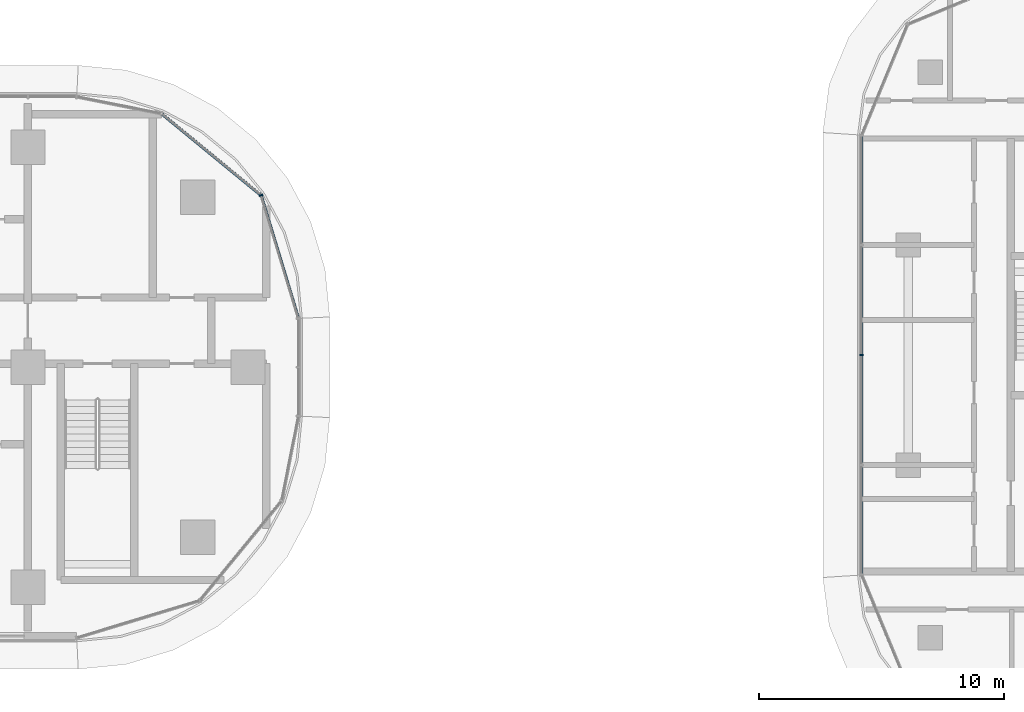
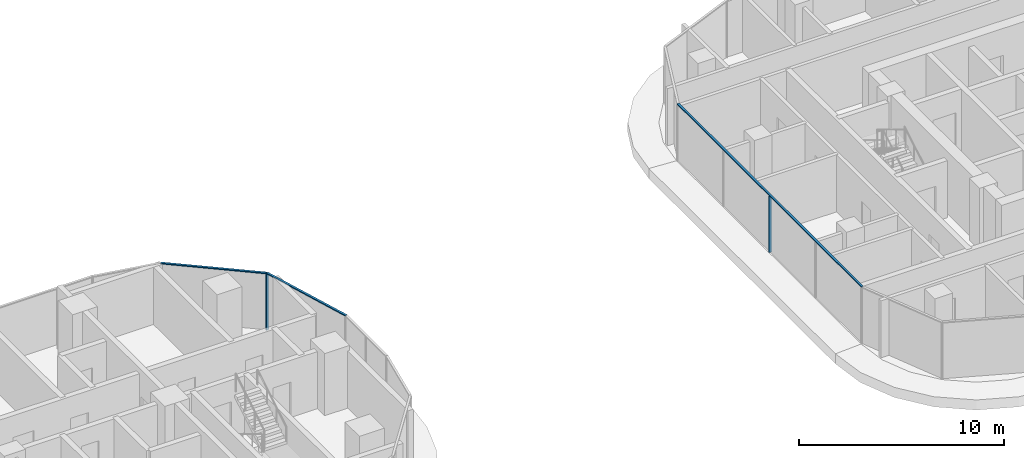
# One storey, part 10 of 36: 5 members, 2 elements without a shape of their own.
"""IFC4 building model written with IfcOpenShell, lengths in metres."""

from ifc_helpers import new_model, si_unit, direction, frame, origin, origin_2d, place, context, subcontext, project, spatial, rectangle, extrude, material, material_profile, profile_set, type_object, element, aggregate, save


model = new_model("IFC4")

# Units and contexts
model_context = context("Model", 3, precision=1e-05, world=origin(), true_north=direction((0.0, 1.0)))
body_context = subcontext(model_context, "Body", "Model", "MODEL_VIEW")
ifc_project = project(units=[si_unit("LENGTHUNIT", "METRE"), si_unit("AREAUNIT", "SQUARE_METRE"), si_unit("VOLUMEUNIT", "CUBIC_METRE"), si_unit("PLANEANGLEUNIT", "RADIAN"), si_unit("MASSUNIT", "GRAM", prefix="KILO")], contexts=[model_context])

# Site, building, storey
site_placement = place(None, origin())
site = spatial("IfcSite", under=ifc_project, at=site_placement, CompositionType="ELEMENT")
building_placement = place(site_placement, origin())
building = spatial("IfcBuilding", under=site, at=building_placement, Name="Ogive Portal Towers", CompositionType="ELEMENT")
storey_placement = place(building_placement, frame((0.0, 0.0, 52.0)))
storey = spatial("IfcBuildingStorey", under=building, at=storey_placement, Name="L11", CompositionType="ELEMENT", Elevation=52.0)

# Curtain wall, member
ifc_material_1 = material(Name="Glass, clear low-iron insulated glazing", Category="glass")
curtain_wall_type_1 = type_object("IfcCurtainWallType", Name="CW FRONT RIBBON 4500", PredefinedType="NOTDEFINED", material=ifc_material_1)
curtain_wall_1_placement = place(storey_placement, origin())
curtain_wall_1 = element("IfcCurtainWall", 1, at=curtain_wall_1_placement, inside=storey, type_object=curtain_wall_type_1, Name="A:L11:f13:cwa", PredefinedType="NOTDEFINED")
ifc_material_2 = material(Name="Aluminium 6063 anodised", Category="aluminium")
ifc_material_profile_1 = material_profile(ifc_material_2, rectangle(XDim=0.159912109375, YDim=0.06005859375, at=origin_2d()), Name="AL 60x160")
ifc_profile_set_1 = profile_set([ifc_material_profile_1], Name="Aluminium 6063 anodised")
member_type_1 = type_object("IfcMemberType", Name="CW MULLION 60x160", PredefinedType="MULLION", material=ifc_profile_set_1)
member_1_placement = place(storey_placement, frame((95.0341796875, 37.5341796875, 0.0), z_axis=(0.0, 0.0, 1.0), x_axis=(-0.956940335732, -0.290284677254, 0.0)))
member_1 = element("IfcMember", 2, at=member_1_placement, type_object=member_type_1, Name="mullion", PredefinedType="MULLION", context=body_context, shape_type="SweptSolid", body=[
    extrude(rectangle(XDim=0.159912109375, YDim=0.06005859375, at=origin_2d()), origin(), (0.0, 0.0, 1.0), 3.340087890625),
])

curtain_wall_type_2 = type_object("IfcCurtainWallType", Name="CW RESIDENCES RIBBON", PredefinedType="NOTDEFINED", material=ifc_material_1)
curtain_wall_2_placement = place(storey_placement, origin())
curtain_wall_2 = element("IfcCurtainWall", 3, at=curtain_wall_2_placement, inside=storey, type_object=curtain_wall_type_2, Name="B:L11:f11:cw0", PredefinedType="NOTDEFINED")
member_2_placement = place(storey_placement, frame((119.590087890625, 31.0, 0.0), z_axis=(0.0, 0.0, 1.0), x_axis=(1.0, 0.0, 0.0)))
member_2 = element("IfcMember", 4, at=member_2_placement, type_object=member_type_1, Name="mullion", PredefinedType="MULLION", context=body_context, shape_type="SweptSolid", body=[
    extrude(rectangle(XDim=0.159912109375, YDim=0.06005859375, at=origin_2d()), origin(), (0.0, 0.0, 1.0), 3.340087890625),
])

# Member
ifc_material_profile_2 = material_profile(ifc_material_2, rectangle(XDim=0.1201171875, YDim=0.06005859375, at=origin_2d()), Name="AL 120x60")
ifc_profile_set_2 = profile_set([ifc_material_profile_2], Name="Aluminium 6063 anodised")
member_type_2 = type_object("IfcMemberType", Name="CW TRANSOM 60x120", PredefinedType="USERDEFINED", material=ifc_profile_set_2)
member_3_placement = place(storey_placement, frame((96.56494140625, 32.488037109375, 3.3701171875), z_axis=(-0.290290078471, 0.956938697275, 0.0), x_axis=(-0.956938697275, -0.290290078471, 0.0)))
member_3 = element("IfcMember", 5, at=member_3_placement, type_object=member_type_2, Name="transom", ObjectType="TRANSOM", PredefinedType="USERDEFINED", context=body_context, shape_type="SweptSolid", body=[
    extrude(rectangle(XDim=0.1201171875, YDim=0.06005859375, at=origin_2d()), origin(), (0.0, 0.0, 1.0), 5.273193359375),
])

member_4_placement = place(storey_placement, frame((95.0341796875, 37.5341796875, 3.3701171875), z_axis=(-0.773003982505, 0.634401168845, 0.0), x_axis=(-0.634401168845, -0.773003982505, 0.0)))
member_4 = element("IfcMember", 6, at=member_4_placement, type_object=member_type_2, Name="transom", ObjectType="TRANSOM", PredefinedType="USERDEFINED", context=body_context, shape_type="SweptSolid", body=[
    extrude(rectangle(XDim=0.1201171875, YDim=0.06005859375, at=origin_2d()), origin(), (0.0, 0.0, 1.0), 5.264892578125),
])

aggregate(curtain_wall_1, [member_3, member_4, member_1])

member_5_placement = place(storey_placement, frame((119.590087890625, 39.984130859375, 3.3701171875), z_axis=(0.0, -1.0, 0.0), x_axis=(1.0, 0.0, 0.0)))
member_5 = element("IfcMember", 7, at=member_5_placement, type_object=member_type_2, Name="transom", ObjectType="TRANSOM", PredefinedType="USERDEFINED", context=body_context, shape_type="SweptSolid", body=[
    extrude(rectangle(XDim=0.1201171875, YDim=0.06005859375, at=origin_2d()), origin(), (0.0, 0.0, 1.0), 17.96826171875),
])

aggregate(curtain_wall_2, [member_5, member_2])

save(model, "model.ifc")
